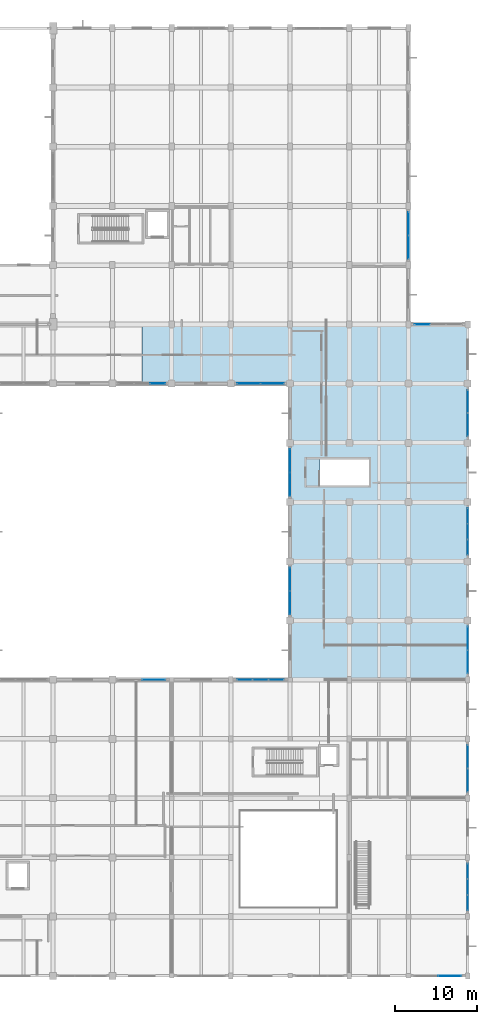
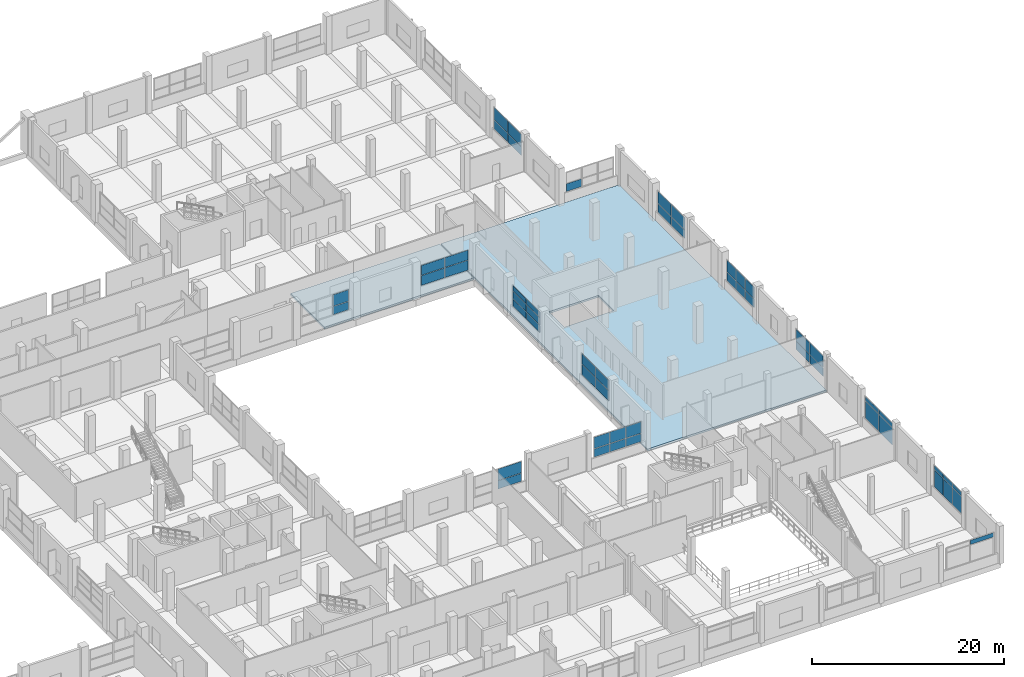
# One storey, part 150 of 181: 54 plates, 2 slabs, 14 elements without a shape of their own.
"""IFC4 building model written with IfcOpenShell, lengths in metres."""

from ifc_helpers import new_model, si_unit, direction, frame, origin, origin_2d, place, context, subcontext, project, spatial, polyline, rectangle, outline, extrude, material, layer, layer_set, type_object, element, aggregate, save


model = new_model("IFC4")

# Units and contexts
model_context = context("Model", 3, precision=1e-05, world=origin(), true_north=direction((0.0, 1.0)))
body_context = subcontext(model_context, "Body", "Model", "MODEL_VIEW")
ifc_project = project(units=[si_unit("LENGTHUNIT", "METRE"), si_unit("AREAUNIT", "SQUARE_METRE"), si_unit("VOLUMEUNIT", "CUBIC_METRE"), si_unit("PLANEANGLEUNIT", "RADIAN"), si_unit("MASSUNIT", "GRAM", prefix="KILO")], contexts=[model_context])

# Site, building, storey
site_placement = place(None, origin())
site = spatial("IfcSite", under=ifc_project, at=site_placement, CompositionType="ELEMENT")
building_placement = place(site_placement, origin())
building = spatial("IfcBuilding", under=site, at=building_placement, Name="Seraya Terrace Polytechnic", CompositionType="ELEMENT")
storey_placement = place(building_placement, frame((0.0, 0.0, 4.800048828125)))
storey = spatial("IfcBuildingStorey", under=building, at=storey_placement, Name="L01", CompositionType="ELEMENT", Elevation=4.800048828125)

# Curtain wall, plates
ifc_material_1 = material(Name="Anodised aluminium EN AW-6063 T6", Category="aluminium")
ifc_layer_1 = layer(ifc_material_1, 0.179931640625, Name="CW-22")
ifc_layer_set_1 = layer_set([ifc_layer_1], Name="Anodised aluminium EN AW-6063 T6")
curtain_wall_type_1 = type_object("IfcCurtainWallType", Name="CW-22", PredefinedType="NOTDEFINED", material=ifc_layer_set_1)
curtain_wall_1_placement = place(storey_placement, origin())
curtain_wall_1 = element("IfcCurtainWall", 1, at=curtain_wall_1_placement, inside=storey, type_object=curtain_wall_type_1, Name="Unitised curtain wall CW-22 (CW-L01-022)", PredefinedType="NOTDEFINED")
ifc_material_2 = material(Name="Laminated solar-control Low-E double glazing", Category="glass")
ifc_layer_2 = layer(ifc_material_2, 0.028076171875, Name="CWP-01")
ifc_layer_set_2 = layer_set([ifc_layer_2], Name="Laminated solar-control Low-E double glazing")
plate_type_1 = type_object("IfcPlateType", Name="CWP-01", PredefinedType="CURTAIN_PANEL", material=ifc_layer_set_2)
plate_1_placement = place(storey_placement, frame((165.60009765625, 69.82373046875, 1.2998046875), z_axis=(0.0, 0.0, 1.0), x_axis=(0.0, -1.0, 0.0)))
plate_1 = element("IfcPlate", 2, at=plate_1_placement, type_object=plate_type_1, Name="CW-22 panel 1.1", PredefinedType="CURTAIN_PANEL", context=body_context, shape_type="SweptSolid", body=[
    extrude(rectangle(XDim=2.782470703125, YDim=0.028076171875, at=origin_2d()), origin(), (0.0, 0.0, 1.0), 1.069091796875),
])
plate_2_placement = place(storey_placement, frame((165.60009765625, 69.82373046875, 2.42919921875), z_axis=(0.0, 0.0, 1.0), x_axis=(0.0, -1.0, 0.0)))
plate_2 = element("IfcPlate", 3, at=plate_2_placement, type_object=plate_type_1, Name="CW-22 panel 1.2", PredefinedType="CURTAIN_PANEL", context=body_context, shape_type="SweptSolid", body=[
    extrude(rectangle(XDim=2.782470703125, YDim=0.028076171875, at=origin_2d()), origin(), (0.0, 0.0, 1.0), 1.5107421875),
])
plate_3_placement = place(storey_placement, frame((165.60009765625, 66.976318359375, 1.2998046875), z_axis=(0.0, 0.0, 1.0), x_axis=(0.0, -1.0, 0.0)))
plate_3 = element("IfcPlate", 4, at=plate_3_placement, type_object=plate_type_1, Name="CW-22 panel 2.1", PredefinedType="CURTAIN_PANEL", context=body_context, shape_type="SweptSolid", body=[
    extrude(rectangle(XDim=2.782470703125, YDim=0.028076171875, at=origin_2d()), origin(), (0.0, 0.0, 1.0), 1.069091796875),
])
plate_4_placement = place(storey_placement, frame((165.60009765625, 66.976318359375, 2.42919921875), z_axis=(0.0, 0.0, 1.0), x_axis=(0.0, -1.0, 0.0)))
plate_4 = element("IfcPlate", 5, at=plate_4_placement, type_object=plate_type_1, Name="CW-22 panel 2.2", PredefinedType="CURTAIN_PANEL", context=body_context, shape_type="SweptSolid", body=[
    extrude(rectangle(XDim=2.782470703125, YDim=0.028076171875, at=origin_2d()), origin(), (0.0, 0.0, 1.0), 1.5107421875),
])
aggregate(curtain_wall_1, [plate_1, plate_2, plate_3, plate_4])

ifc_layer_3 = layer(ifc_material_1, 0.179931640625, Name="CW-25")
ifc_layer_set_3 = layer_set([ifc_layer_3], Name="Anodised aluminium EN AW-6063 T6")
curtain_wall_type_2 = type_object("IfcCurtainWallType", Name="CW-25", PredefinedType="NOTDEFINED", material=ifc_layer_set_3)
curtain_wall_2_placement = place(storey_placement, origin())
curtain_wall_2 = element("IfcCurtainWall", 6, at=curtain_wall_2_placement, inside=storey, type_object=curtain_wall_type_2, Name="Unitised curtain wall CW-25 (CW-L01-025)", PredefinedType="NOTDEFINED")
plate_5_placement = place(storey_placement, frame((165.60009765625, 26.623779296875, 1.300048828125), z_axis=(0.0, 0.0, 1.0), x_axis=(0.0, -1.0, 0.0)))
plate_5 = element("IfcPlate", 7, at=plate_5_placement, type_object=plate_type_1, Name="CW-25 panel 1.1", PredefinedType="CURTAIN_PANEL", context=body_context, shape_type="SweptSolid", body=[
    extrude(rectangle(XDim=2.782470703125, YDim=0.028076171875, at=origin_2d()), origin(), (0.0, 0.0, 1.0), 2.169921875),
])
plate_6_placement = place(storey_placement, frame((165.60009765625, 26.623779296875, 3.52978515625), z_axis=(0.0, 0.0, 1.0), x_axis=(0.0, -1.0, 0.0)))
plate_6 = element("IfcPlate", 8, at=plate_6_placement, type_object=plate_type_1, Name="CW-25 panel 1.2", PredefinedType="CURTAIN_PANEL", context=body_context, shape_type="SweptSolid", body=[
    extrude(rectangle(XDim=2.782470703125, YDim=0.028076171875, at=origin_2d()), origin(), (0.0, 0.0, 1.0), 0.530029296875),
])
plate_7_placement = place(storey_placement, frame((165.60009765625, 23.7763671875, 1.300048828125), z_axis=(0.0, 0.0, 1.0), x_axis=(0.0, -1.0, 0.0)))
plate_7 = element("IfcPlate", 9, at=plate_7_placement, type_object=plate_type_1, Name="CW-25 panel 2.1", PredefinedType="CURTAIN_PANEL", context=body_context, shape_type="SweptSolid", body=[
    extrude(rectangle(XDim=2.782470703125, YDim=0.028076171875, at=origin_2d()), origin(), (0.0, 0.0, 1.0), 2.169921875),
])
plate_8_placement = place(storey_placement, frame((165.60009765625, 23.7763671875, 3.52978515625), z_axis=(0.0, 0.0, 1.0), x_axis=(0.0, -1.0, 0.0)))
plate_8 = element("IfcPlate", 10, at=plate_8_placement, type_object=plate_type_1, Name="CW-25 panel 2.2", PredefinedType="CURTAIN_PANEL", context=body_context, shape_type="SweptSolid", body=[
    extrude(rectangle(XDim=2.782470703125, YDim=0.028076171875, at=origin_2d()), origin(), (0.0, 0.0, 1.0), 0.530029296875),
])
aggregate(curtain_wall_2, [plate_5, plate_6, plate_7, plate_8])

ifc_layer_4 = layer(ifc_material_1, 0.179931640625, Name="CW-10")
ifc_layer_set_4 = layer_set([ifc_layer_4], Name="Anodised aluminium EN AW-6063 T6")
curtain_wall_type_3 = type_object("IfcCurtainWallType", Name="CW-10", PredefinedType="NOTDEFINED", material=ifc_layer_set_4)
curtain_wall_3_placement = place(storey_placement, origin())
curtain_wall_3 = element("IfcCurtainWall", 11, at=curtain_wall_3_placement, inside=storey, type_object=curtain_wall_type_3, Name="Unitised curtain wall CW-10 (CW-L01-046)", PredefinedType="NOTDEFINED")
plate_9_placement = place(storey_placement, frame((144.0, 45.376220703125, 1.300048828125), z_axis=(0.0, 0.0, 1.0), x_axis=(0.0, 1.0, 0.0)))
plate_9 = element("IfcPlate", 12, at=plate_9_placement, type_object=plate_type_1, Name="CW-10 panel 1.1", PredefinedType="CURTAIN_PANEL", context=body_context, shape_type="SweptSolid", body=[
    extrude(rectangle(XDim=2.782470703125, YDim=0.028076171875, at=origin_2d()), origin(), (0.0, 0.0, 1.0), 1.2900390625),
])
plate_10_placement = place(storey_placement, frame((144.0, 45.376220703125, 2.64990234375), z_axis=(0.0, 0.0, 1.0), x_axis=(0.0, 1.0, 0.0)))
plate_10 = element("IfcPlate", 13, at=plate_10_placement, type_object=plate_type_1, Name="CW-10 panel 1.2", PredefinedType="CURTAIN_PANEL", context=body_context, shape_type="SweptSolid", body=[
    extrude(rectangle(XDim=2.782470703125, YDim=0.028076171875, at=origin_2d()), origin(), (0.0, 0.0, 1.0), 1.2900390625),
])
plate_11_placement = place(storey_placement, frame((144.0, 48.2236328125, 1.300048828125), z_axis=(0.0, 0.0, 1.0), x_axis=(0.0, 1.0, 0.0)))
plate_11 = element("IfcPlate", 14, at=plate_11_placement, type_object=plate_type_1, Name="CW-10 panel 2.1", PredefinedType="CURTAIN_PANEL", context=body_context, shape_type="SweptSolid", body=[
    extrude(rectangle(XDim=2.782470703125, YDim=0.028076171875, at=origin_2d()), origin(), (0.0, 0.0, 1.0), 1.2900390625),
])
plate_12_placement = place(storey_placement, frame((144.0, 48.2236328125, 2.64990234375), z_axis=(0.0, 0.0, 1.0), x_axis=(0.0, 1.0, 0.0)))
plate_12 = element("IfcPlate", 15, at=plate_12_placement, type_object=plate_type_1, Name="CW-10 panel 2.2", PredefinedType="CURTAIN_PANEL", context=body_context, shape_type="SweptSolid", body=[
    extrude(rectangle(XDim=2.782470703125, YDim=0.028076171875, at=origin_2d()), origin(), (0.0, 0.0, 1.0), 1.2900390625),
])
aggregate(curtain_wall_3, [plate_9, plate_10, plate_11, plate_12])

ifc_layer_5 = layer(ifc_material_1, 0.179931640625, Name="CW-13")
ifc_layer_set_5 = layer_set([ifc_layer_5], Name="Anodised aluminium EN AW-6063 T6")
curtain_wall_type_4 = type_object("IfcCurtainWallType", Name="CW-13", PredefinedType="NOTDEFINED", material=ifc_layer_set_5)
curtain_wall_4_placement = place(storey_placement, origin())
curtain_wall_4 = element("IfcCurtainWall", 16, at=curtain_wall_4_placement, inside=storey, type_object=curtain_wall_type_4, Name="Unitised curtain wall CW-13 (CW-L01-049)", PredefinedType="NOTDEFINED")
plate_13_placement = place(storey_placement, frame((127.90380859375, 72.0, 1.2998046875), z_axis=(0.0, 0.0, 1.0), x_axis=(-1.0, 0.0, 0.0)))
plate_13 = element("IfcPlate", 17, at=plate_13_placement, type_object=plate_type_1, Name="CW-13 panel 1.1", PredefinedType="CURTAIN_PANEL", context=body_context, shape_type="SweptSolid", body=[
    extrude(rectangle(XDim=1.822509765625, YDim=0.028076171875, at=origin_2d()), origin(), (0.0, 0.0, 1.0), 1.018798828125),
])
plate_14_placement = place(storey_placement, frame((127.90380859375, 72.0, 2.37890625), z_axis=(0.0, 0.0, 1.0), x_axis=(-1.0, 0.0, 0.0)))
plate_14 = element("IfcPlate", 18, at=plate_14_placement, type_object=plate_type_1, Name="CW-13 panel 1.2", PredefinedType="CURTAIN_PANEL", context=body_context, shape_type="SweptSolid", body=[
    extrude(rectangle(XDim=1.822509765625, YDim=0.028076171875, at=origin_2d()), origin(), (0.0, 0.0, 1.0), 1.441162109375),
])
aggregate(curtain_wall_4, [plate_13, plate_14])

ifc_layer_6 = layer(ifc_material_1, 0.179931640625, Name="CW-19")
ifc_layer_set_6 = layer_set([ifc_layer_6], Name="Anodised aluminium EN AW-6063 T6")
curtain_wall_type_5 = type_object("IfcCurtainWallType", Name="CW-19", PredefinedType="NOTDEFINED", material=ifc_layer_set_6)
curtain_wall_5_placement = place(storey_placement, origin())
curtain_wall_5 = element("IfcCurtainWall", 19, at=curtain_wall_5_placement, inside=storey, type_object=curtain_wall_type_5, Name="Unitised curtain wall CW-19 (CW-L01-055)", PredefinedType="NOTDEFINED")
plate_15_placement = place(storey_placement, frame((138.496337890625, 36.0, 1.2998046875), z_axis=(0.0, 0.0, 1.0), x_axis=(1.0, 0.0, 0.0)))
plate_15 = element("IfcPlate", 20, at=plate_15_placement, type_object=plate_type_1, Name="CW-19 panel 1.1", PredefinedType="CURTAIN_PANEL", context=body_context, shape_type="SweptSolid", body=[
    extrude(rectangle(XDim=1.822509765625, YDim=0.028076171875, at=origin_2d()), origin(), (0.0, 0.0, 1.0), 1.018798828125),
])
plate_16_placement = place(storey_placement, frame((138.496337890625, 36.0, 2.37890625), z_axis=(0.0, 0.0, 1.0), x_axis=(1.0, 0.0, 0.0)))
plate_16 = element("IfcPlate", 21, at=plate_16_placement, type_object=plate_type_1, Name="CW-19 panel 1.2", PredefinedType="CURTAIN_PANEL", context=body_context, shape_type="SweptSolid", body=[
    extrude(rectangle(XDim=1.822509765625, YDim=0.028076171875, at=origin_2d()), origin(), (0.0, 0.0, 1.0), 1.441162109375),
])
plate_17_placement = place(storey_placement, frame((140.39990234375, 36.0, 1.2998046875), z_axis=(0.0, 0.0, 1.0), x_axis=(1.0, 0.0, 0.0)))
plate_17 = element("IfcPlate", 22, at=plate_17_placement, type_object=plate_type_1, Name="CW-19 panel 2.1", PredefinedType="CURTAIN_PANEL", context=body_context, shape_type="SweptSolid", body=[
    extrude(rectangle(XDim=1.85498046875, YDim=0.028076171875, at=origin_2d()), origin(), (0.0, 0.0, 1.0), 1.018798828125),
])
plate_18_placement = place(storey_placement, frame((140.39990234375, 36.0, 2.37890625), z_axis=(0.0, 0.0, 1.0), x_axis=(1.0, 0.0, 0.0)))
plate_18 = element("IfcPlate", 23, at=plate_18_placement, type_object=plate_type_1, Name="CW-19 panel 2.2", PredefinedType="CURTAIN_PANEL", context=body_context, shape_type="SweptSolid", body=[
    extrude(rectangle(XDim=1.85498046875, YDim=0.028076171875, at=origin_2d()), origin(), (0.0, 0.0, 1.0), 1.441162109375),
])
plate_19_placement = place(storey_placement, frame((142.3037109375, 36.0, 1.2998046875), z_axis=(0.0, 0.0, 1.0), x_axis=(1.0, 0.0, 0.0)))
plate_19 = element("IfcPlate", 24, at=plate_19_placement, type_object=plate_type_1, Name="CW-19 panel 3.1", PredefinedType="CURTAIN_PANEL", context=body_context, shape_type="SweptSolid", body=[
    extrude(rectangle(XDim=1.822509765625, YDim=0.028076171875, at=origin_2d()), origin(), (0.0, 0.0, 1.0), 1.018798828125),
])
plate_20_placement = place(storey_placement, frame((142.3037109375, 36.0, 2.37890625), z_axis=(0.0, 0.0, 1.0), x_axis=(1.0, 0.0, 0.0)))
plate_20 = element("IfcPlate", 25, at=plate_20_placement, type_object=plate_type_1, Name="CW-19 panel 3.2", PredefinedType="CURTAIN_PANEL", context=body_context, shape_type="SweptSolid", body=[
    extrude(rectangle(XDim=1.822509765625, YDim=0.028076171875, at=origin_2d()), origin(), (0.0, 0.0, 1.0), 1.441162109375),
])
aggregate(curtain_wall_5, [plate_15, plate_16, plate_17, plate_18, plate_19, plate_20])

ifc_layer_7 = layer(ifc_material_1, 0.179931640625, Name="CW-20")
ifc_layer_set_7 = layer_set([ifc_layer_7], Name="Anodised aluminium EN AW-6063 T6")
curtain_wall_type_6 = type_object("IfcCurtainWallType", Name="CW-20", PredefinedType="NOTDEFINED", material=ifc_layer_set_7)
curtain_wall_6_placement = place(storey_placement, origin())
curtain_wall_6 = element("IfcCurtainWall", 26, at=curtain_wall_6_placement, inside=storey, type_object=curtain_wall_type_6, Name="Unitised curtain wall CW-20 (CW-L01-020)", PredefinedType="NOTDEFINED")
ifc_layer_8 = layer(ifc_material_2, 0.031982421875, Name="CWP-02")
ifc_layer_set_8 = layer_set([ifc_layer_8], Name="Laminated solar-control Low-E double glazing")
plate_type_2 = type_object("IfcPlateType", Name="CWP-02", PredefinedType="CURTAIN_PANEL", material=ifc_layer_set_8)
plate_21_placement = place(storey_placement, frame((158.39990234375, 91.425048828125, 1.2998046875), z_axis=(0.0, 0.0, 1.0), x_axis=(0.0, -1.0, 0.0)))
plate_21 = element("IfcPlate", 27, at=plate_21_placement, type_object=plate_type_2, Name="CW-20 panel 1.1", PredefinedType="CURTAIN_PANEL", context=body_context, shape_type="SweptSolid", body=[
    extrude(rectangle(XDim=2.7900390625, YDim=0.031982421875, at=origin_2d()), origin(), (0.0, 0.0, 1.0), 1.094482421875),
])
plate_22_placement = place(storey_placement, frame((158.39990234375, 91.425048828125, 2.4541015625), z_axis=(0.0, 0.0, 1.0), x_axis=(0.0, -1.0, 0.0)))
plate_22 = element("IfcPlate", 28, at=plate_22_placement, type_object=plate_type_2, Name="CW-20 panel 1.2", PredefinedType="CURTAIN_PANEL", context=body_context, shape_type="SweptSolid", body=[
    extrude(rectangle(XDim=2.7900390625, YDim=0.031982421875, at=origin_2d()), origin(), (0.0, 0.0, 1.0), 1.545654296875),
])
plate_23_placement = place(storey_placement, frame((158.39990234375, 88.574951171875, 1.2998046875), z_axis=(0.0, 0.0, 1.0), x_axis=(0.0, -1.0, 0.0)))
plate_23 = element("IfcPlate", 29, at=plate_23_placement, type_object=plate_type_2, Name="CW-20 panel 2.1", PredefinedType="CURTAIN_PANEL", context=body_context, shape_type="SweptSolid", body=[
    extrude(rectangle(XDim=2.7900390625, YDim=0.031982421875, at=origin_2d()), origin(), (0.0, 0.0, 1.0), 1.094482421875),
])
plate_24_placement = place(storey_placement, frame((158.39990234375, 88.574951171875, 2.4541015625), z_axis=(0.0, 0.0, 1.0), x_axis=(0.0, -1.0, 0.0)))
plate_24 = element("IfcPlate", 30, at=plate_24_placement, type_object=plate_type_2, Name="CW-20 panel 2.2", PredefinedType="CURTAIN_PANEL", context=body_context, shape_type="SweptSolid", body=[
    extrude(rectangle(XDim=2.7900390625, YDim=0.031982421875, at=origin_2d()), origin(), (0.0, 0.0, 1.0), 1.545654296875),
])
aggregate(curtain_wall_6, [plate_21, plate_22, plate_23, plate_24])

ifc_layer_9 = layer(ifc_material_1, 0.179931640625, Name="CW-23")
ifc_layer_set_9 = layer_set([ifc_layer_9], Name="Anodised aluminium EN AW-6063 T6")
curtain_wall_type_7 = type_object("IfcCurtainWallType", Name="CW-23", PredefinedType="NOTDEFINED", material=ifc_layer_set_9)
curtain_wall_7_placement = place(storey_placement, origin())
curtain_wall_7 = element("IfcCurtainWall", 31, at=curtain_wall_7_placement, inside=storey, type_object=curtain_wall_type_7, Name="Unitised curtain wall CW-23 (CW-L01-023)", PredefinedType="NOTDEFINED")
plate_25_placement = place(storey_placement, frame((165.60009765625, 55.905029296875, 1.2998046875), z_axis=(0.0, 0.0, 1.0), x_axis=(0.0, -1.0, 0.0)))
plate_25 = element("IfcPlate", 32, at=plate_25_placement, type_object=plate_type_2, Name="CW-23 panel 1.1", PredefinedType="CURTAIN_PANEL", context=body_context, shape_type="SweptSolid", body=[
    extrude(rectangle(XDim=1.830078125, YDim=0.031982421875, at=origin_2d()), origin(), (0.0, 0.0, 1.0), 1.052490234375),
])
plate_26_placement = place(storey_placement, frame((165.60009765625, 55.905029296875, 2.41259765625), z_axis=(0.0, 0.0, 1.0), x_axis=(0.0, -1.0, 0.0)))
plate_26 = element("IfcPlate", 33, at=plate_26_placement, type_object=plate_type_2, Name="CW-23 panel 1.2", PredefinedType="CURTAIN_PANEL", context=body_context, shape_type="SweptSolid", body=[
    extrude(rectangle(XDim=1.830078125, YDim=0.031982421875, at=origin_2d()), origin(), (0.0, 0.0, 1.0), 1.487548828125),
])
plate_27_placement = place(storey_placement, frame((165.60009765625, 54.0, 1.2998046875), z_axis=(0.0, 0.0, 1.0), x_axis=(0.0, -1.0, 0.0)))
plate_27 = element("IfcPlate", 34, at=plate_27_placement, type_object=plate_type_2, Name="CW-23 panel 2.1", PredefinedType="CURTAIN_PANEL", context=body_context, shape_type="SweptSolid", body=[
    extrude(rectangle(XDim=1.860107421875, YDim=0.031982421875, at=origin_2d()), origin(), (0.0, 0.0, 1.0), 1.052490234375),
])
plate_28_placement = place(storey_placement, frame((165.60009765625, 54.0, 2.41259765625), z_axis=(0.0, 0.0, 1.0), x_axis=(0.0, -1.0, 0.0)))
plate_28 = element("IfcPlate", 35, at=plate_28_placement, type_object=plate_type_2, Name="CW-23 panel 2.2", PredefinedType="CURTAIN_PANEL", context=body_context, shape_type="SweptSolid", body=[
    extrude(rectangle(XDim=1.860107421875, YDim=0.031982421875, at=origin_2d()), origin(), (0.0, 0.0, 1.0), 1.487548828125),
])
plate_29_placement = place(storey_placement, frame((165.60009765625, 52.094970703125, 1.2998046875), z_axis=(0.0, 0.0, 1.0), x_axis=(0.0, -1.0, 0.0)))
plate_29 = element("IfcPlate", 36, at=plate_29_placement, type_object=plate_type_2, Name="CW-23 panel 3.1", PredefinedType="CURTAIN_PANEL", context=body_context, shape_type="SweptSolid", body=[
    extrude(rectangle(XDim=1.830078125, YDim=0.031982421875, at=origin_2d()), origin(), (0.0, 0.0, 1.0), 1.052490234375),
])
plate_30_placement = place(storey_placement, frame((165.60009765625, 52.094970703125, 2.41259765625), z_axis=(0.0, 0.0, 1.0), x_axis=(0.0, -1.0, 0.0)))
plate_30 = element("IfcPlate", 37, at=plate_30_placement, type_object=plate_type_2, Name="CW-23 panel 3.2", PredefinedType="CURTAIN_PANEL", context=body_context, shape_type="SweptSolid", body=[
    extrude(rectangle(XDim=1.830078125, YDim=0.031982421875, at=origin_2d()), origin(), (0.0, 0.0, 1.0), 1.487548828125),
])
aggregate(curtain_wall_7, [plate_25, plate_26, plate_27, plate_28, plate_29, plate_30])

ifc_layer_10 = layer(ifc_material_1, 0.179931640625, Name="CW-26")
ifc_layer_set_10 = layer_set([ifc_layer_10], Name="Anodised aluminium EN AW-6063 T6")
curtain_wall_type_8 = type_object("IfcCurtainWallType", Name="CW-26", PredefinedType="NOTDEFINED", material=ifc_layer_set_10)
curtain_wall_8_placement = place(storey_placement, origin())
curtain_wall_8 = element("IfcCurtainWall", 38, at=curtain_wall_8_placement, inside=storey, type_object=curtain_wall_type_8, Name="Unitised curtain wall CW-26 (CW-L01-026)", PredefinedType="NOTDEFINED")
plate_31_placement = place(storey_placement, frame((165.60009765625, 12.705078125, 1.300048828125), z_axis=(0.0, 0.0, 1.0), x_axis=(0.0, -1.0, 0.0)))
plate_31 = element("IfcPlate", 39, at=plate_31_placement, type_object=plate_type_2, Name="CW-26 panel 1.1", PredefinedType="CURTAIN_PANEL", context=body_context, shape_type="SweptSolid", body=[
    extrude(rectangle(XDim=1.830078125, YDim=0.031982421875, at=origin_2d()), origin(), (0.0, 0.0, 1.0), 2.1298828125),
])
plate_32_placement = place(storey_placement, frame((165.60009765625, 12.705078125, 3.48974609375), z_axis=(0.0, 0.0, 1.0), x_axis=(0.0, -1.0, 0.0)))
plate_32 = element("IfcPlate", 40, at=plate_32_placement, type_object=plate_type_2, Name="CW-26 panel 1.2", PredefinedType="CURTAIN_PANEL", context=body_context, shape_type="SweptSolid", body=[
    extrude(rectangle(XDim=1.830078125, YDim=0.031982421875, at=origin_2d()), origin(), (0.0, 0.0, 1.0), 0.530029296875),
])
plate_33_placement = place(storey_placement, frame((165.60009765625, 10.800048828125, 1.300048828125), z_axis=(0.0, 0.0, 1.0), x_axis=(0.0, -1.0, 0.0)))
plate_33 = element("IfcPlate", 41, at=plate_33_placement, type_object=plate_type_2, Name="CW-26 panel 2.1", PredefinedType="CURTAIN_PANEL", context=body_context, shape_type="SweptSolid", body=[
    extrude(rectangle(XDim=1.860107421875, YDim=0.031982421875, at=origin_2d()), origin(), (0.0, 0.0, 1.0), 2.1298828125),
])
plate_34_placement = place(storey_placement, frame((165.60009765625, 10.800048828125, 3.48974609375), z_axis=(0.0, 0.0, 1.0), x_axis=(0.0, -1.0, 0.0)))
plate_34 = element("IfcPlate", 42, at=plate_34_placement, type_object=plate_type_2, Name="CW-26 panel 2.2", PredefinedType="CURTAIN_PANEL", context=body_context, shape_type="SweptSolid", body=[
    extrude(rectangle(XDim=1.860107421875, YDim=0.031982421875, at=origin_2d()), origin(), (0.0, 0.0, 1.0), 0.530029296875),
])
plate_35_placement = place(storey_placement, frame((165.60009765625, 8.89501953125, 1.300048828125), z_axis=(0.0, 0.0, 1.0), x_axis=(0.0, -1.0, 0.0)))
plate_35 = element("IfcPlate", 43, at=plate_35_placement, type_object=plate_type_2, Name="CW-26 panel 3.1", PredefinedType="CURTAIN_PANEL", context=body_context, shape_type="SweptSolid", body=[
    extrude(rectangle(XDim=1.830078125, YDim=0.031982421875, at=origin_2d()), origin(), (0.0, 0.0, 1.0), 2.1298828125),
])
plate_36_placement = place(storey_placement, frame((165.60009765625, 8.89501953125, 3.48974609375), z_axis=(0.0, 0.0, 1.0), x_axis=(0.0, -1.0, 0.0)))
plate_36 = element("IfcPlate", 44, at=plate_36_placement, type_object=plate_type_2, Name="CW-26 panel 3.2", PredefinedType="CURTAIN_PANEL", context=body_context, shape_type="SweptSolid", body=[
    extrude(rectangle(XDim=1.830078125, YDim=0.031982421875, at=origin_2d()), origin(), (0.0, 0.0, 1.0), 0.530029296875),
])
aggregate(curtain_wall_8, [plate_31, plate_32, plate_33, plate_34, plate_35, plate_36])

ifc_layer_11 = layer(ifc_material_1, 0.179931640625, Name="CW-11")
ifc_layer_set_11 = layer_set([ifc_layer_11], Name="Anodised aluminium EN AW-6063 T6")
curtain_wall_type_9 = type_object("IfcCurtainWallType", Name="CW-11", PredefinedType="NOTDEFINED", material=ifc_layer_set_11)
curtain_wall_9_placement = place(storey_placement, origin())
curtain_wall_9 = element("IfcCurtainWall", 45, at=curtain_wall_9_placement, inside=storey, type_object=curtain_wall_type_9, Name="Unitised curtain wall CW-11 (CW-L01-047)", PredefinedType="NOTDEFINED")
plate_37_placement = place(storey_placement, frame((144.0, 59.77490234375, 1.300048828125), z_axis=(0.0, 0.0, 1.0), x_axis=(0.0, 1.0, 0.0)))
plate_37 = element("IfcPlate", 46, at=plate_37_placement, type_object=plate_type_2, Name="CW-11 panel 1.1", PredefinedType="CURTAIN_PANEL", context=body_context, shape_type="SweptSolid", body=[
    extrude(rectangle(XDim=2.7900390625, YDim=0.031982421875, at=origin_2d()), origin(), (0.0, 0.0, 1.0), 0.88916015625),
])
plate_38_placement = place(storey_placement, frame((144.0, 59.77490234375, 2.2490234375), z_axis=(0.0, 0.0, 1.0), x_axis=(0.0, 1.0, 0.0)))
plate_38 = element("IfcPlate", 47, at=plate_38_placement, type_object=plate_type_2, Name="CW-11 panel 1.2", PredefinedType="CURTAIN_PANEL", context=body_context, shape_type="SweptSolid", body=[
    extrude(rectangle(XDim=2.7900390625, YDim=0.031982421875, at=origin_2d()), origin(), (0.0, 0.0, 1.0), 0.919189453125),
])
plate_39_placement = place(storey_placement, frame((144.0, 59.77490234375, 3.228515625), z_axis=(0.0, 0.0, 1.0), x_axis=(0.0, 1.0, 0.0)))
plate_39 = element("IfcPlate", 48, at=plate_39_placement, type_object=plate_type_2, Name="CW-11 panel 1.3", PredefinedType="CURTAIN_PANEL", context=body_context, shape_type="SweptSolid", body=[
    extrude(rectangle(XDim=2.7900390625, YDim=0.031982421875, at=origin_2d()), origin(), (0.0, 0.0, 1.0), 0.671630859375),
])
plate_40_placement = place(storey_placement, frame((144.0, 62.625, 1.300048828125), z_axis=(0.0, 0.0, 1.0), x_axis=(0.0, 1.0, 0.0)))
plate_40 = element("IfcPlate", 49, at=plate_40_placement, type_object=plate_type_2, Name="CW-11 panel 2.1", PredefinedType="CURTAIN_PANEL", context=body_context, shape_type="SweptSolid", body=[
    extrude(rectangle(XDim=2.7900390625, YDim=0.031982421875, at=origin_2d()), origin(), (0.0, 0.0, 1.0), 0.88916015625),
])
plate_41_placement = place(storey_placement, frame((144.0, 62.625, 2.2490234375), z_axis=(0.0, 0.0, 1.0), x_axis=(0.0, 1.0, 0.0)))
plate_41 = element("IfcPlate", 50, at=plate_41_placement, type_object=plate_type_2, Name="CW-11 panel 2.2", PredefinedType="CURTAIN_PANEL", context=body_context, shape_type="SweptSolid", body=[
    extrude(rectangle(XDim=2.7900390625, YDim=0.031982421875, at=origin_2d()), origin(), (0.0, 0.0, 1.0), 0.919189453125),
])
plate_42_placement = place(storey_placement, frame((144.0, 62.625, 3.228515625), z_axis=(0.0, 0.0, 1.0), x_axis=(0.0, 1.0, 0.0)))
plate_42 = element("IfcPlate", 51, at=plate_42_placement, type_object=plate_type_2, Name="CW-11 panel 2.3", PredefinedType="CURTAIN_PANEL", context=body_context, shape_type="SweptSolid", body=[
    extrude(rectangle(XDim=2.7900390625, YDim=0.031982421875, at=origin_2d()), origin(), (0.0, 0.0, 1.0), 0.671630859375),
])
aggregate(curtain_wall_9, [plate_37, plate_38, plate_39, plate_40, plate_41, plate_42])

# Curtain wall, plate
ifc_layer_12 = layer(ifc_material_1, 0.179931640625, Name="CW-21")
ifc_layer_set_12 = layer_set([ifc_layer_12], Name="Anodised aluminium EN AW-6063 T6")
curtain_wall_type_10 = type_object("IfcCurtainWallType", Name="CW-21", PredefinedType="NOTDEFINED", material=ifc_layer_set_12)
curtain_wall_10_placement = place(storey_placement, origin())
curtain_wall_10 = element("IfcCurtainWall", 52, at=curtain_wall_10_placement, inside=storey, type_object=curtain_wall_type_10, Name="Unitised curtain wall CW-21 (CW-L01-021)", PredefinedType="NOTDEFINED")
ifc_layer_13 = layer(ifc_material_2, 0.035888671875, Name="CWP-03")
ifc_layer_set_13 = layer_set([ifc_layer_13], Name="Laminated solar-control Low-E double glazing")
plate_type_3 = type_object("IfcPlateType", Name="CWP-03", PredefinedType="CURTAIN_PANEL", material=ifc_layer_set_13)
plate_43_placement = place(storey_placement, frame((160.094970703125, 79.199951171875, 1.294921875), z_axis=(0.0, 0.0, 1.0), x_axis=(1.0, 0.0, 0.0)))
plate_43 = element("IfcPlate", 53, at=plate_43_placement, type_object=plate_type_3, Name="CW-21 panel 1.1", PredefinedType="CURTAIN_PANEL", context=body_context, shape_type="SweptSolid", body=[
    extrude(rectangle(XDim=1.830078125, YDim=0.035888671875, at=origin_2d()), origin(), (0.0, 0.0, 1.0), 0.984375),
])
aggregate(curtain_wall_10, [plate_43])

# Curtain wall, plates
ifc_layer_14 = layer(ifc_material_1, 0.179931640625, Name="CW-24")
ifc_layer_set_14 = layer_set([ifc_layer_14], Name="Anodised aluminium EN AW-6063 T6")
curtain_wall_type_11 = type_object("IfcCurtainWallType", Name="CW-24", PredefinedType="NOTDEFINED", material=ifc_layer_set_14)
curtain_wall_11_placement = place(storey_placement, origin())
curtain_wall_11 = element("IfcCurtainWall", 54, at=curtain_wall_11_placement, inside=storey, type_object=curtain_wall_type_11, Name="Unitised curtain wall CW-24 (CW-L01-024)", PredefinedType="NOTDEFINED")
plate_44_placement = place(storey_placement, frame((165.60009765625, 41.02490234375, 1.294921875), z_axis=(0.0, 0.0, 1.0), x_axis=(0.0, -1.0, 0.0)))
plate_44 = element("IfcPlate", 55, at=plate_44_placement, type_object=plate_type_3, Name="CW-24 panel 1.1", PredefinedType="CURTAIN_PANEL", context=body_context, shape_type="SweptSolid", body=[
    extrude(rectangle(XDim=2.7900390625, YDim=0.035888671875, at=origin_2d()), origin(), (0.0, 0.0, 1.0), 1.043212890625),
])
plate_45_placement = place(storey_placement, frame((165.60009765625, 41.02490234375, 2.39306640625), z_axis=(0.0, 0.0, 1.0), x_axis=(0.0, -1.0, 0.0)))
plate_45 = element("IfcPlate", 56, at=plate_45_placement, type_object=plate_type_3, Name="CW-24 panel 1.2", PredefinedType="CURTAIN_PANEL", context=body_context, shape_type="SweptSolid", body=[
    extrude(rectangle(XDim=2.7900390625, YDim=0.035888671875, at=origin_2d()), origin(), (0.0, 0.0, 1.0), 1.471923828125),
])
plate_46_placement = place(storey_placement, frame((165.60009765625, 38.175048828125, 1.294921875), z_axis=(0.0, 0.0, 1.0), x_axis=(0.0, -1.0, 0.0)))
plate_46 = element("IfcPlate", 57, at=plate_46_placement, type_object=plate_type_3, Name="CW-24 panel 2.1", PredefinedType="CURTAIN_PANEL", context=body_context, shape_type="SweptSolid", body=[
    extrude(rectangle(XDim=2.7900390625, YDim=0.035888671875, at=origin_2d()), origin(), (0.0, 0.0, 1.0), 1.043212890625),
])
plate_47_placement = place(storey_placement, frame((165.60009765625, 38.175048828125, 2.39306640625), z_axis=(0.0, 0.0, 1.0), x_axis=(0.0, -1.0, 0.0)))
plate_47 = element("IfcPlate", 58, at=plate_47_placement, type_object=plate_type_3, Name="CW-24 panel 2.2", PredefinedType="CURTAIN_PANEL", context=body_context, shape_type="SweptSolid", body=[
    extrude(rectangle(XDim=2.7900390625, YDim=0.035888671875, at=origin_2d()), origin(), (0.0, 0.0, 1.0), 1.471923828125),
])
aggregate(curtain_wall_11, [plate_44, plate_45, plate_46, plate_47])

# Curtain wall, plate
ifc_layer_15 = layer(ifc_material_1, 0.179931640625, Name="CW-27")
ifc_layer_set_15 = layer_set([ifc_layer_15], Name="Anodised aluminium EN AW-6063 T6")
curtain_wall_type_12 = type_object("IfcCurtainWallType", Name="CW-27", PredefinedType="NOTDEFINED", material=ifc_layer_set_15)
curtain_wall_12_placement = place(storey_placement, origin())
curtain_wall_12 = element("IfcCurtainWall", 59, at=curtain_wall_12_placement, inside=storey, type_object=curtain_wall_type_12, Name="Unitised curtain wall CW-27 (CW-L01-027)", PredefinedType="NOTDEFINED")
plate_48_placement = place(storey_placement, frame((163.425048828125, 0.0, 3.447509765625), z_axis=(0.0, 0.0, 1.0), x_axis=(-1.0, 0.0, 0.0)))
plate_48 = element("IfcPlate", 60, at=plate_48_placement, type_object=plate_type_3, Name="CW-27 panel 1.2", PredefinedType="CURTAIN_PANEL", context=body_context, shape_type="SweptSolid", body=[
    extrude(rectangle(XDim=2.7900390625, YDim=0.035888671875, at=origin_2d()), origin(), (0.0, 0.0, 1.0), 0.53759765625),
])
aggregate(curtain_wall_12, [plate_48])

# Curtain wall, plates
ifc_layer_16 = layer(ifc_material_1, 0.179931640625, Name="CW-12")
ifc_layer_set_16 = layer_set([ifc_layer_16], Name="Anodised aluminium EN AW-6063 T6")
curtain_wall_type_13 = type_object("IfcCurtainWallType", Name="CW-12", PredefinedType="NOTDEFINED", material=ifc_layer_set_16)
curtain_wall_13_placement = place(storey_placement, origin())
curtain_wall_13 = element("IfcCurtainWall", 61, at=curtain_wall_13_placement, inside=storey, type_object=curtain_wall_type_13, Name="Unitised curtain wall CW-12 (CW-L01-048)", PredefinedType="NOTDEFINED")
plate_49_placement = place(storey_placement, frame((141.824951171875, 72.0, 1.294921875), z_axis=(0.0, 0.0, 1.0), x_axis=(-1.0, 0.0, 0.0)))
plate_49 = element("IfcPlate", 62, at=plate_49_placement, type_object=plate_type_3, Name="CW-12 panel 1.1", PredefinedType="CURTAIN_PANEL", context=body_context, shape_type="SweptSolid", body=[
    extrude(rectangle(XDim=2.7900390625, YDim=0.035888671875, at=origin_2d()), origin(), (0.0, 0.0, 1.0), 1.237548828125),
])
plate_50_placement = place(storey_placement, frame((141.824951171875, 72.0, 2.58740234375), z_axis=(0.0, 0.0, 1.0), x_axis=(-1.0, 0.0, 0.0)))
plate_50 = element("IfcPlate", 63, at=plate_50_placement, type_object=plate_type_3, Name="CW-12 panel 1.2", PredefinedType="CURTAIN_PANEL", context=body_context, shape_type="SweptSolid", body=[
    extrude(rectangle(XDim=2.7900390625, YDim=0.035888671875, at=origin_2d()), origin(), (0.0, 0.0, 1.0), 1.237548828125),
])
plate_51_placement = place(storey_placement, frame((138.97509765625, 72.0, 1.294921875), z_axis=(0.0, 0.0, 1.0), x_axis=(-1.0, 0.0, 0.0)))
plate_51 = element("IfcPlate", 64, at=plate_51_placement, type_object=plate_type_3, Name="CW-12 panel 2.1", PredefinedType="CURTAIN_PANEL", context=body_context, shape_type="SweptSolid", body=[
    extrude(rectangle(XDim=2.7900390625, YDim=0.035888671875, at=origin_2d()), origin(), (0.0, 0.0, 1.0), 1.237548828125),
])
plate_52_placement = place(storey_placement, frame((138.97509765625, 72.0, 2.58740234375), z_axis=(0.0, 0.0, 1.0), x_axis=(-1.0, 0.0, 0.0)))
plate_52 = element("IfcPlate", 65, at=plate_52_placement, type_object=plate_type_3, Name="CW-12 panel 2.2", PredefinedType="CURTAIN_PANEL", context=body_context, shape_type="SweptSolid", body=[
    extrude(rectangle(XDim=2.7900390625, YDim=0.035888671875, at=origin_2d()), origin(), (0.0, 0.0, 1.0), 1.237548828125),
])
aggregate(curtain_wall_13, [plate_49, plate_50, plate_51, plate_52])

ifc_layer_17 = layer(ifc_material_1, 0.179931640625, Name="CW-18")
ifc_layer_set_17 = layer_set([ifc_layer_17], Name="Anodised aluminium EN AW-6063 T6")
curtain_wall_type_14 = type_object("IfcCurtainWallType", Name="CW-18", PredefinedType="NOTDEFINED", material=ifc_layer_set_17)
curtain_wall_14_placement = place(storey_placement, origin())
curtain_wall_14 = element("IfcCurtainWall", 66, at=curtain_wall_14_placement, inside=storey, type_object=curtain_wall_type_14, Name="Unitised curtain wall CW-18 (CW-L01-054)", PredefinedType="NOTDEFINED")
plate_53_placement = place(storey_placement, frame((127.425048828125, 36.0, 1.294921875), z_axis=(0.0, 0.0, 1.0), x_axis=(1.0, 0.0, 0.0)))
plate_53 = element("IfcPlate", 67, at=plate_53_placement, type_object=plate_type_3, Name="CW-18 panel 2.1", PredefinedType="CURTAIN_PANEL", context=body_context, shape_type="SweptSolid", body=[
    extrude(rectangle(XDim=2.7900390625, YDim=0.035888671875, at=origin_2d()), origin(), (0.0, 0.0, 1.0), 1.0263671875),
])
plate_54_placement = place(storey_placement, frame((127.425048828125, 36.0, 2.376220703125), z_axis=(0.0, 0.0, 1.0), x_axis=(1.0, 0.0, 0.0)))
plate_54 = element("IfcPlate", 68, at=plate_54_placement, type_object=plate_type_3, Name="CW-18 panel 2.2", PredefinedType="CURTAIN_PANEL", context=body_context, shape_type="SweptSolid", body=[
    extrude(rectangle(XDim=2.7900390625, YDim=0.035888671875, at=origin_2d()), origin(), (0.0, 0.0, 1.0), 1.44873046875),
])
aggregate(curtain_wall_14, [plate_53, plate_54])

# Slabs
ifc_material_3 = material(Name="Concrete C40/50", Category="concrete")
ifc_layer_18 = layer(ifc_material_3, 0.25, Name="FS-03")
ifc_layer_set_18 = layer_set([ifc_layer_18], Name="Concrete C40/50")
slab_type_1 = type_object("IfcSlabType", Name="FS-03", PredefinedType="FLOOR", material=ifc_layer_set_18)
slab_1_placement = place(storey_placement, frame((0.0, 0.0, -0.25)))
element("IfcSlab", 69, at=slab_1_placement, inside=storey, type_object=slab_type_1, Name="Floor slab SLB-V2-NERIM-L01-S2 (FS-03)", PredefinedType="FLOOR", context=body_context, shape_type="SweptSolid", body=[
    extrude(outline(polyline([(143.93994140625, 79.139892578125), (143.93994140625, 72.06005859375), (126.0048828125, 72.06005859375), (126.0048828125, 79.139892578125), (143.93994140625, 79.139892578125)])), origin(), (0.0, 0.0, 1.0), 0.25),
])
ifc_layer_19 = layer(ifc_material_3, 0.239990234375, Name="FS-04")
ifc_layer_set_19 = layer_set([ifc_layer_19], Name="Concrete C40/50")
slab_type_2 = type_object("IfcSlabType", Name="FS-04", PredefinedType="FLOOR", material=ifc_layer_set_19)
slab_2_placement = place(storey_placement, frame((0.0, 0.0, -0.239990234375)))
element("IfcSlab", 70, at=slab_2_placement, inside=storey, type_object=slab_type_2, Name="Floor slab SLB-V2-EAST-L01-S1 (FS-04)", PredefinedType="FLOOR", context=body_context, shape_type="SweptSolid", body=[
    extrude(outline(polyline([(144.06005859375, 79.139892578125), (165.5400390625, 79.139892578125), (165.5400390625, 36.06005859375), (144.06005859375, 36.06005859375), (144.06005859375, 79.139892578125)]), holes=[polyline([(153.60009765625, 62.800048828125), (147.639892578125, 62.800048828125), (147.639892578125, 59.60009765625), (153.60009765625, 59.60009765625), (153.60009765625, 62.800048828125)])]), origin(), (0.0, 0.0, 1.0), 0.239990234375),
])

save(model, "model.ifc")
